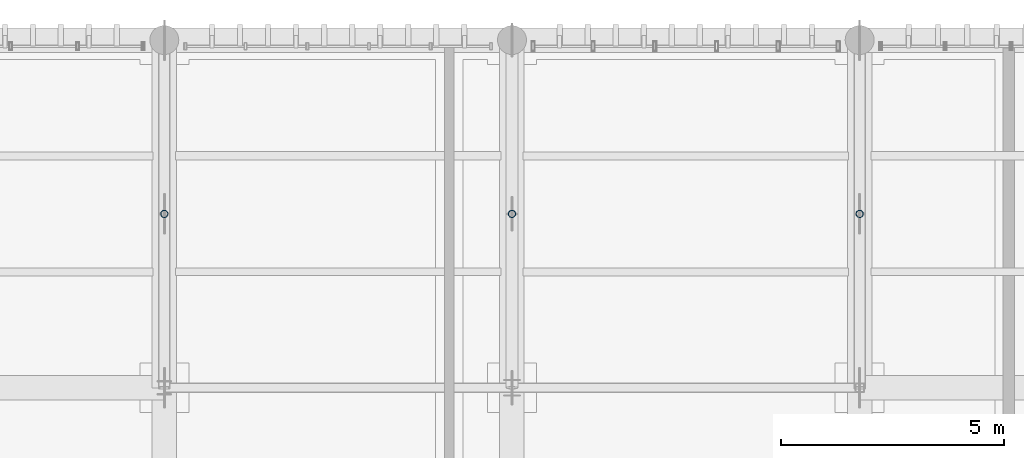
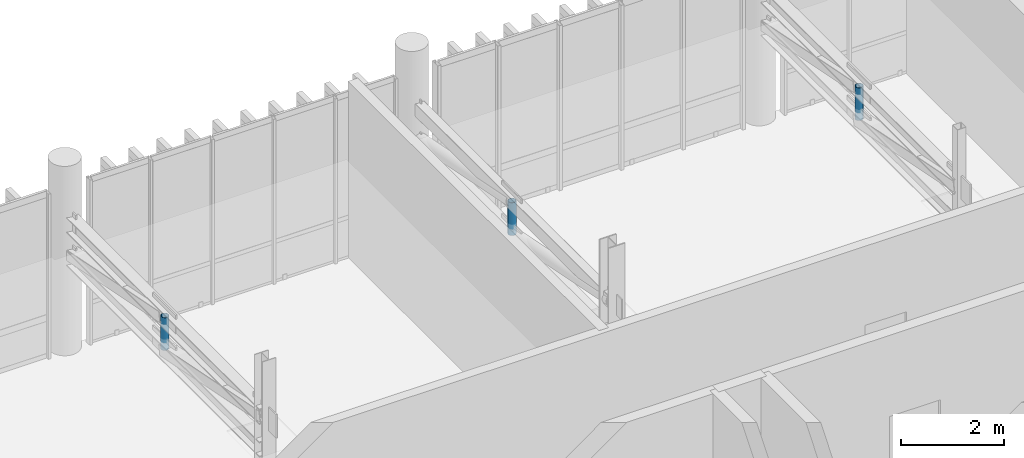
# One storey, part 41 of 53: 3 members.
"""IFC4 building model written with IfcOpenShell, lengths in metres."""

from ifc_helpers import new_model, si_unit, direction, frame, origin_with_axes, origin_2d_with_axis, place, context, subcontext, project, spatial, hollow_circle, extrude, material, material_profile, profile_set, type_object, element, save


model = new_model("IFC4")

# Units and contexts
model_context = context("Model", 3, precision=1e-05, world=origin_with_axes(), true_north=direction((0.0, 1.0)))
body_context = subcontext(model_context, "Body", "Model", "MODEL_VIEW")
ifc_project = project(units=[si_unit("LENGTHUNIT", "METRE"), si_unit("AREAUNIT", "SQUARE_METRE"), si_unit("VOLUMEUNIT", "CUBIC_METRE"), si_unit("PLANEANGLEUNIT", "RADIAN"), si_unit("MASSUNIT", "GRAM", prefix="KILO"), si_unit("THERMODYNAMICTEMPERATUREUNIT", "KELVIN")], contexts=[model_context])

# Site, building, storey
site_placement = place(None, origin_with_axes())
site = spatial("IfcSite", under=ifc_project, at=site_placement, CompositionType="ELEMENT")
building_placement = place(site_placement, origin_with_axes())
building = spatial("IfcBuilding", under=site, at=building_placement, Name="Montbau Bow Law Courts", CompositionType="ELEMENT")
storey_placement = place(building_placement, frame((0.0, 0.0, 39.0), z_axis=(0.0, 0.0, 1.0), x_axis=(1.0, 0.0, 0.0)))
storey = spatial("IfcBuildingStorey", under=building, at=storey_placement, Name="L08", CompositionType="ELEMENT", Elevation=39.0)

# Members
ifc_material = material(Name="Steel CSA G40.21 Grade 350W (350 MPa)", Category="steel")
ifc_material_profile = material_profile(ifc_material, hollow_circle(Radius=0.084, WallThickness=0.0095, at=origin_2d_with_axis()), Name="HSS168X9.5", Category="Main", Priority=0)
ifc_profile_set = profile_set([ifc_material_profile], Name="Steel CSA G40.21 Grade 350W (350 MPa)")
member_type = type_object("IfcMemberType", Name="M-STR-01", PredefinedType="STRUT", material=ifc_profile_set)
for number, where, z_axis, x_axis, name in (
    (1, (147.0, 107.1, 41.32), (0.0, 0.0, 1.0), (1.0, 0.0, 0.0), "STR-L08-16:mbr_0064"),
    (2, (154.8, 107.1, 41.32), (0.0, 0.0, 1.0), (1.0, 0.0, 0.0), "STR-L08-17:mbr_0068"),
    (3, (162.6, 107.1, 41.32), (0.0, 0.0, 1.0), (1.0, 0.0, 0.0), "STR-L08-18:mbr_0072"),
):
    element("IfcMember", number, at=place(None, frame(where, z_axis=z_axis, x_axis=x_axis)), inside=storey, type_object=member_type, Name=name, PredefinedType="STRUT", context=body_context, shape_type="SweptSolid", body=[
        extrude(hollow_circle(Radius=0.084, WallThickness=0.0095, at=origin_2d_with_axis()), origin_with_axes(), (0.0, 0.0, 1.0), 0.78),
    ])

save(model, "model.ifc")
